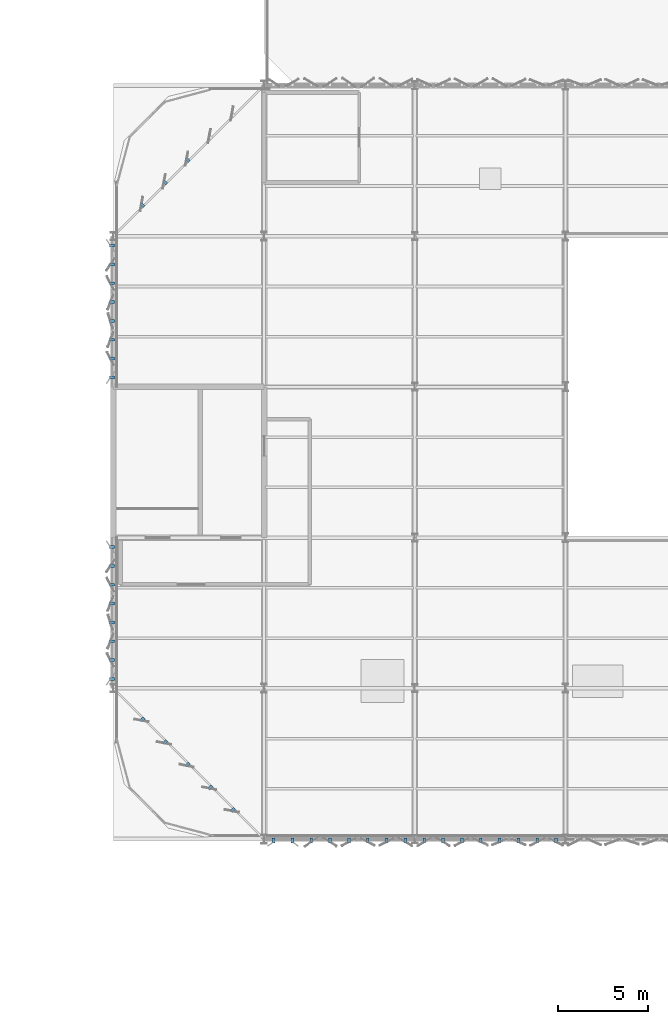
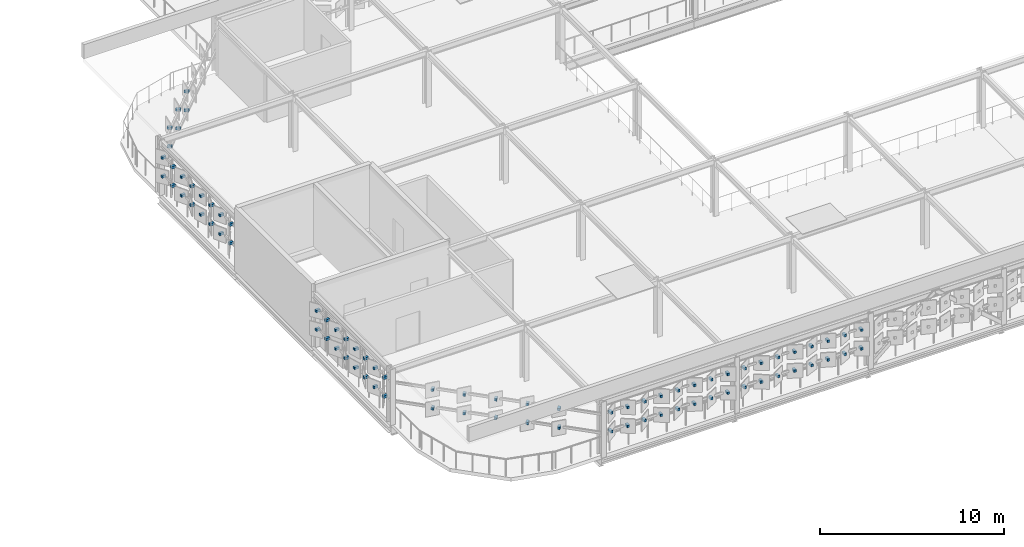
# One storey, part 56 of 65: 80 discrete accessories.
"""IFC4 building model written with IfcOpenShell, lengths in metres."""

import ifcopenshell
import ifcopenshell.guid

model = None  # the IFC model being written
_history = None  # IfcOwnerHistory: only IFC2X3 demands one
_inside = {}  # id of a spatial element -> (the spatial element, [elements in it])
_under = {}  # id of a project, library or spatial element -> (it, [spatial elements below it])
_declared = {}  # id of a project -> (the project, [libraries it declares])
_typed = {}  # id of a type object -> (the type object, [elements of that type])
_made_of = {}  # id of a material, layer set ... -> (it, [elements and type objects made of it])


def new_model(schema):
    """Start an empty IFC model of exactly this schema.

    Asked for "IFC4X3", IfcOpenShell would pick the latest addendum, in which some entities
    have other attributes; the version numbers below select the first issue.
    IFC2X3 requires an IfcOwnerHistory on every rooted entity: one is made here for all.
    """
    global model, _history
    if schema == "IFC4X3":
        model = ifcopenshell.file(schema_version=(4, 3, 0, 0))
    else:
        model = ifcopenshell.file(schema=schema)
    _inside.clear()
    _under.clear()
    _declared.clear()
    _typed.clear()
    _made_of.clear()
    _history = None
    if model.schema == "IFC2X3":
        org = make("IfcOrganization", Name="unknown")
        user = make(
            "IfcPersonAndOrganization",
            ThePerson=make("IfcPerson", FamilyName="unknown"),
            TheOrganization=org,
        )
        app = make(
            "IfcApplication",
            ApplicationDeveloper=org,
            Version="unknown",
            ApplicationFullName="unknown",
            ApplicationIdentifier="unknown",
        )
        _history = make(
            "IfcOwnerHistory",
            OwningUser=user,
            OwningApplication=app,
            ChangeAction="ADDED",
            CreationDate=0,
        )
    return model


def make(cls, **values):
    """One entity of the class cls with the attributes given. An attribute that is None is left unset."""
    return model.create_entity(
        cls, **{name: value for name, value in values.items() if value is not None}
    )


def rooted(cls, **values):
    """An entity with a GlobalId (a new one), such as an element, a storey or a relation."""
    return make(cls, GlobalId=ifcopenshell.guid.new(), OwnerHistory=_history, **values)


def si_unit(unit_type, name, prefix=None):
    """IfcSIUnit, for example si_unit("LENGTHUNIT", "METRE", prefix="MILLI")."""
    return make("IfcSIUnit", UnitType=unit_type, Prefix=prefix, Name=name)


def assignment(units):
    """IfcUnitAssignment: the units of a project."""
    return None if units is None else make("IfcUnitAssignment", Units=units)


def point(xyz):
    """IfcCartesianPoint."""
    return None if xyz is None else make("IfcCartesianPoint", Coordinates=xyz)


def direction(xyz):
    """IfcDirection."""
    return None if xyz is None else make("IfcDirection", DirectionRatios=xyz)


def frame(location, z_axis=None, x_axis=None):
    """IfcAxis2Placement3D, a coordinate frame: its origin and axes. An axis left out is left unset."""
    return make(
        "IfcAxis2Placement3D",
        Location=point(location),
        Axis=direction(z_axis),
        RefDirection=direction(x_axis),
    )


def frame_2d(location, x_axis=None):
    """IfcAxis2Placement2D, a coordinate frame in the plane: its origin and x axis."""
    return make(
        "IfcAxis2Placement2D", Location=point(location), RefDirection=direction(x_axis)
    )


def origin():
    """The frame at (0, 0, 0) with its axes left unset."""
    return frame((0.0, 0.0, 0.0))


def origin_2d():
    """The frame at (0, 0) in the plane with its x axis left unset."""
    return frame_2d((0.0, 0.0))


def place(relative_to, where):
    """IfcLocalPlacement: puts the frame where relative to a parent placement (None: the world)."""
    return make(
        "IfcLocalPlacement", PlacementRelTo=relative_to, RelativePlacement=where
    )


def context(
    kind, dimensions, precision=None, world=None, true_north=None, identifier=None
):
    """IfcGeometricRepresentationContext, for example the 3D "Model" context."""
    return make(
        "IfcGeometricRepresentationContext",
        ContextIdentifier=identifier,
        ContextType=kind,
        CoordinateSpaceDimension=dimensions,
        Precision=precision,
        WorldCoordinateSystem=world,
        TrueNorth=true_north,
    )


def subcontext(parent, identifier, kind, view, scale=None):
    """IfcGeometricRepresentationSubContext, for example "Body" below "Model"."""
    return make(
        "IfcGeometricRepresentationSubContext",
        ContextIdentifier=identifier,
        ContextType=kind,
        ParentContext=parent,
        TargetScale=scale,
        TargetView=view,
    )


def project(units=None, contexts=None):
    """IfcProject with its units and contexts."""
    return rooted(
        "IfcProject",
        Name="project",
        RepresentationContexts=contexts,
        UnitsInContext=assignment(units),
    )


def spatial(cls, under=None, at=None, **own):
    """A site, building, storey or space (cls), placed at a placement, below another one or the project."""
    s = rooted(cls, ObjectPlacement=at, **own)
    if under is not None:
        _under.setdefault(under.id(), (under, []))[1].append(s)
    return s


def profile(cls, at=None, kind="AREA", **sizes):
    """A parametric profile (cls). Its sizes go by their IFC names, for example OverallWidth=200.0."""
    return make(cls, ProfileType=kind, Position=at, **sizes)


def rectangle(**sizes):
    """IfcRectangleProfileDef."""
    return profile("IfcRectangleProfileDef", **sizes)


def extrude(swept, where, along, depth):
    """IfcExtrudedAreaSolid: the profile swept, set in the frame where, extruded along a direction by depth."""
    return make(
        "IfcExtrudedAreaSolid",
        SweptArea=swept,
        Position=where,
        ExtrudedDirection=direction(along),
        Depth=depth,
    )


def shape(context_of_items, identifier, shape_type, items):
    """IfcShapeRepresentation: the items that make up one representation, for example the "Body"."""
    return make(
        "IfcShapeRepresentation",
        ContextOfItems=context_of_items,
        RepresentationIdentifier=identifier,
        RepresentationType=shape_type,
        Items=items,
    )


def material(Name=None, Category=None):
    """IfcMaterial."""
    return make("IfcMaterial", Name=Name, Category=Category)


def made_of(thing, what):
    """Note that an element or type object is made of a material, layer set ...; save() writes the relation."""
    if what is not None:
        _made_of.setdefault(what.id(), (what, []))[1].append(thing)
    return thing


def type_object(cls, material=None, **own):
    """A type object (cls), such as IfcWallType, which elements share."""
    return made_of(rooted(cls, **own), material)


def element(
    cls,
    number,
    at=None,
    inside=None,
    cuts=None,
    type_object=None,
    material=None,
    context=None,
    identifier="Body",
    shape_type=None,
    held_by="IfcProductDefinitionShape",
    body=None,
    shapes=None,
    **own,
):
    """One element of the class cls, such as IfcWall. Its Tag is "e" and its number.

    at: its placement. inside: the storey or other place that contains it. cuts: it is an
    opening in that element (IfcRelVoidsElement). A single representation is given by context,
    identifier, shape_type and body (its items); several are given by shapes. held_by: the class
    of the entity that holds the representations. save() writes the other relations.
    """
    e = rooted(cls, Tag="e%d" % number, ObjectPlacement=at, **own)
    if body is not None:
        shapes = [shape(context, identifier, shape_type, body)]
    if shapes is not None:
        e.Representation = make(held_by, Representations=shapes)
    if inside is not None:
        _inside.setdefault(inside.id(), (inside, []))[1].append(e)
    if cuts is not None:
        rooted(
            "IfcRelVoidsElement", RelatingBuildingElement=cuts, RelatedOpeningElement=e
        )
    if type_object is not None:
        _typed.setdefault(type_object.id(), (type_object, []))[1].append(e)
    return made_of(e, material)


def aggregate(whole, parts):
    """IfcRelAggregates: a whole, such as a stair, and the parts it consists of."""
    return rooted("IfcRelAggregates", RelatingObject=whole, RelatedObjects=parts)


def save(model, path):
    """Write the relations noted so far, then the file.

    IfcRelAggregates (storeys below a building ...), IfcRelContainedInSpatialStructure (elements
    in a storey), IfcRelDefinesByType, IfcRelAssociatesMaterial and IfcRelDeclares: one each for
    every whole, place, type object, material and project.
    """
    for whole, parts in _under.values():
        aggregate(whole, parts)
    for where, things in _inside.values():
        rooted(
            "IfcRelContainedInSpatialStructure",
            RelatedElements=things,
            RelatingStructure=where,
        )
    for kind, things in _typed.values():
        rooted("IfcRelDefinesByType", RelatedObjects=things, RelatingType=kind)
    for what, things in _made_of.values():
        rooted("IfcRelAssociatesMaterial", RelatedObjects=things, RelatingMaterial=what)
    for by, libraries in _declared.values():
        rooted("IfcRelDeclares", RelatingContext=by, RelatedDefinitions=libraries)
    model.write(path)


model = new_model("IFC4")

# Units and contexts
model_context = context("Model", 3, precision=1e-05, world=origin(), true_north=direction((0.0, 1.0)))
body_context = subcontext(model_context, "Body", "Model", "MODEL_VIEW")
ifc_project = project(units=[si_unit("LENGTHUNIT", "METRE"), si_unit("AREAUNIT", "SQUARE_METRE"), si_unit("VOLUMEUNIT", "CUBIC_METRE"), si_unit("PLANEANGLEUNIT", "RADIAN"), si_unit("MASSUNIT", "GRAM", prefix="KILO")], contexts=[model_context])

# Site, building, storey
site_placement = place(None, origin())
site = spatial("IfcSite", under=ifc_project, at=site_placement, CompositionType="ELEMENT")
building_placement = place(site_placement, origin())
building = spatial("IfcBuilding", under=site, at=building_placement, Name="Qalvenar Corner Mobility Hub", CompositionType="ELEMENT")
storey_placement = place(building_placement, frame((0.0, 0.0, 17.39990234375)))
storey = spatial("IfcBuildingStorey", under=building, at=storey_placement, Name="L04", CompositionType="ELEMENT", Elevation=17.39990234375)

# Discrete accessories
ifc_material = material(Name="Steel S355", Category="steel")
discrete_accessory_type = type_object("IfcDiscreteAccessoryType", Name="ACC-HINGE-BRK", PredefinedType="BRACKET", material=ifc_material)
for number, where, z_axis, x_axis, name in (
    (1, (67.72509765625, 67.1201171875, 1.419921875), (0.0, 0.0, 1.0), (1.0, 0.0, 0.0), "Panel Hinge Bracket BK-L04-1081"),
    (2, (67.72509765625, 67.1201171875, 2.669921875), (0.0, 0.0, 1.0), (1.0, 0.0, 0.0), "Panel Hinge Bracket BK-L04-1082"),
    (3, (68.77490234375, 67.1201171875, 1.419921875), (0.0, 0.0, 1.0), (1.0, 0.0, 0.0), "Panel Hinge Bracket BK-L04-1083"),
    (4, (68.77490234375, 67.1201171875, 2.669921875), (0.0, 0.0, 1.0), (1.0, 0.0, 0.0), "Panel Hinge Bracket BK-L04-1084"),
    (5, (69.824951171875, 67.1201171875, 1.419921875), (0.0, 0.0, 1.0), (1.0, 0.0, 0.0), "Panel Hinge Bracket BK-L04-1085"),
    (6, (69.824951171875, 67.1201171875, 2.669921875), (0.0, 0.0, 1.0), (1.0, 0.0, 0.0), "Panel Hinge Bracket BK-L04-1086"),
    (7, (70.875, 67.1201171875, 1.419921875), (0.0, 0.0, 1.0), (1.0, 0.0, 0.0), "Panel Hinge Bracket BK-L04-1087"),
    (8, (70.875, 67.1201171875, 2.669921875), (0.0, 0.0, 1.0), (1.0, 0.0, 0.0), "Panel Hinge Bracket BK-L04-1088"),
    (9, (71.925048828125, 67.1201171875, 1.419921875), (0.0, 0.0, 1.0), (1.0, 0.0, 0.0), "Panel Hinge Bracket BK-L04-1089"),
    (10, (71.925048828125, 67.1201171875, 2.669921875), (0.0, 0.0, 1.0), (1.0, 0.0, 0.0), "Panel Hinge Bracket BK-L04-1090"),
    (11, (72.97509765625, 67.1201171875, 1.419921875), (0.0, 0.0, 1.0), (1.0, 0.0, 0.0), "Panel Hinge Bracket BK-L04-1091"),
    (12, (72.97509765625, 67.1201171875, 2.669921875), (0.0, 0.0, 1.0), (1.0, 0.0, 0.0), "Panel Hinge Bracket BK-L04-1092"),
    (13, (74.02490234375, 67.1201171875, 1.419921875), (0.0, 0.0, 1.0), (1.0, 0.0, 0.0), "Panel Hinge Bracket BK-L04-1093"),
    (14, (74.02490234375, 67.1201171875, 2.669921875), (0.0, 0.0, 1.0), (1.0, 0.0, 0.0), "Panel Hinge Bracket BK-L04-1094"),
    (15, (75.074951171875, 67.1201171875, 1.419921875), (0.0, 0.0, 1.0), (1.0, 0.0, 0.0), "Panel Hinge Bracket BK-L04-1095"),
    (16, (75.074951171875, 67.1201171875, 2.669921875), (0.0, 0.0, 1.0), (1.0, 0.0, 0.0), "Panel Hinge Bracket BK-L04-1096"),
    (17, (76.125, 67.1201171875, 1.419921875), (0.0, 0.0, 1.0), (1.0, 0.0, 0.0), "Panel Hinge Bracket BK-L04-1097"),
    (18, (76.125, 67.1201171875, 2.669921875), (0.0, 0.0, 1.0), (1.0, 0.0, 0.0), "Panel Hinge Bracket BK-L04-1098"),
    (19, (77.175048828125, 67.1201171875, 1.419921875), (0.0, 0.0, 1.0), (1.0, 0.0, 0.0), "Panel Hinge Bracket BK-L04-1099"),
    (20, (77.175048828125, 67.1201171875, 2.669921875), (0.0, 0.0, 1.0), (1.0, 0.0, 0.0), "Panel Hinge Bracket BK-L04-1100"),
    (21, (78.22509765625, 67.1201171875, 1.419921875), (0.0, 0.0, 1.0), (1.0, 0.0, 0.0), "Panel Hinge Bracket BK-L04-1101"),
    (22, (78.22509765625, 67.1201171875, 2.669921875), (0.0, 0.0, 1.0), (1.0, 0.0, 0.0), "Panel Hinge Bracket BK-L04-1102"),
    (23, (79.27490234375, 67.1201171875, 1.419921875), (0.0, 0.0, 1.0), (1.0, 0.0, 0.0), "Panel Hinge Bracket BK-L04-1103"),
    (24, (79.27490234375, 67.1201171875, 2.669921875), (0.0, 0.0, 1.0), (1.0, 0.0, 0.0), "Panel Hinge Bracket BK-L04-1104"),
    (25, (80.324951171875, 67.1201171875, 1.419921875), (0.0, 0.0, 1.0), (1.0, 0.0, 0.0), "Panel Hinge Bracket BK-L04-1105"),
    (26, (80.324951171875, 67.1201171875, 2.669921875), (0.0, 0.0, 1.0), (1.0, 0.0, 0.0), "Panel Hinge Bracket BK-L04-1106"),
    (27, (81.375, 67.1201171875, 1.419921875), (0.0, 0.0, 1.0), (1.0, 0.0, 0.0), "Panel Hinge Bracket BK-L04-1107"),
    (28, (81.375, 67.1201171875, 2.669921875), (0.0, 0.0, 1.0), (1.0, 0.0, 0.0), "Panel Hinge Bracket BK-L04-1108"),
    (29, (82.425048828125, 67.1201171875, 1.419921875), (0.0, 0.0, 1.0), (1.0, 0.0, 0.0), "Panel Hinge Bracket BK-L04-1109"),
    (30, (82.425048828125, 67.1201171875, 2.669921875), (0.0, 0.0, 1.0), (1.0, 0.0, 0.0), "Panel Hinge Bracket BK-L04-1110"),
    (31, (83.47509765625, 67.1201171875, 1.419921875), (0.0, 0.0, 1.0), (1.0, 0.0, 0.0), "Panel Hinge Bracket BK-L04-1111"),
    (32, (83.47509765625, 67.1201171875, 2.669921875), (0.0, 0.0, 1.0), (1.0, 0.0, 0.0), "Panel Hinge Bracket BK-L04-1112"),
    (33, (58.719970703125, 83.47509765625, 1.419921875), (0.0, 0.0, 1.0), (0.0, -1.0, 0.0), "Panel Hinge Bracket BK-L04-1321"),
    (34, (58.719970703125, 83.47509765625, 2.669921875), (0.0, 0.0, 1.0), (0.0, -1.0, 0.0), "Panel Hinge Bracket BK-L04-1322"),
    (35, (58.719970703125, 82.425048828125, 1.419921875), (0.0, 0.0, 1.0), (0.0, -1.0, 0.0), "Panel Hinge Bracket BK-L04-1323"),
    (36, (58.719970703125, 82.425048828125, 2.669921875), (0.0, 0.0, 1.0), (0.0, -1.0, 0.0), "Panel Hinge Bracket BK-L04-1324"),
    (37, (58.719970703125, 81.375, 1.419921875), (0.0, 0.0, 1.0), (0.0, -1.0, 0.0), "Panel Hinge Bracket BK-L04-1325"),
    (38, (58.719970703125, 81.375, 2.669921875), (0.0, 0.0, 1.0), (0.0, -1.0, 0.0), "Panel Hinge Bracket BK-L04-1326"),
    (39, (58.719970703125, 80.324951171875, 1.419921875), (0.0, 0.0, 1.0), (0.0, -1.0, 0.0), "Panel Hinge Bracket BK-L04-1327"),
    (40, (58.719970703125, 80.324951171875, 2.669921875), (0.0, 0.0, 1.0), (0.0, -1.0, 0.0), "Panel Hinge Bracket BK-L04-1328"),
    (41, (58.719970703125, 79.27490234375, 1.419921875), (0.0, 0.0, 1.0), (0.0, -1.0, 0.0), "Panel Hinge Bracket BK-L04-1329"),
    (42, (58.719970703125, 79.27490234375, 2.669921875), (0.0, 0.0, 1.0), (0.0, -1.0, 0.0), "Panel Hinge Bracket BK-L04-1330"),
    (43, (58.719970703125, 78.22509765625, 1.419921875), (0.0, 0.0, 1.0), (0.0, -1.0, 0.0), "Panel Hinge Bracket BK-L04-1331"),
    (44, (58.719970703125, 78.22509765625, 2.669921875), (0.0, 0.0, 1.0), (0.0, -1.0, 0.0), "Panel Hinge Bracket BK-L04-1332"),
    (45, (58.719970703125, 77.175048828125, 1.419921875), (0.0, 0.0, 1.0), (0.0, -1.0, 0.0), "Panel Hinge Bracket BK-L04-1333"),
    (46, (58.719970703125, 77.175048828125, 2.669921875), (0.0, 0.0, 1.0), (0.0, -1.0, 0.0), "Panel Hinge Bracket BK-L04-1334"),
    (47, (58.719970703125, 76.125, 1.419921875), (0.0, 0.0, 1.0), (0.0, -1.0, 0.0), "Panel Hinge Bracket BK-L04-1335"),
    (48, (58.719970703125, 76.125, 2.669921875), (0.0, 0.0, 1.0), (0.0, -1.0, 0.0), "Panel Hinge Bracket BK-L04-1336"),
    (49, (58.719970703125, 100.27490234375, 1.419921875), (0.0, 0.0, 1.0), (0.0, -1.0, 0.0), "Panel Hinge Bracket BK-L04-1337"),
    (50, (58.719970703125, 100.27490234375, 2.669921875), (0.0, 0.0, 1.0), (0.0, -1.0, 0.0), "Panel Hinge Bracket BK-L04-1338"),
    (51, (58.719970703125, 99.22509765625, 1.419921875), (0.0, 0.0, 1.0), (0.0, -1.0, 0.0), "Panel Hinge Bracket BK-L04-1339"),
    (52, (58.719970703125, 99.22509765625, 2.669921875), (0.0, 0.0, 1.0), (0.0, -1.0, 0.0), "Panel Hinge Bracket BK-L04-1340"),
    (53, (58.719970703125, 98.175048828125, 1.419921875), (0.0, 0.0, 1.0), (0.0, -1.0, 0.0), "Panel Hinge Bracket BK-L04-1341"),
    (54, (58.719970703125, 98.175048828125, 2.669921875), (0.0, 0.0, 1.0), (0.0, -1.0, 0.0), "Panel Hinge Bracket BK-L04-1342"),
    (55, (58.719970703125, 97.125, 1.419921875), (0.0, 0.0, 1.0), (0.0, -1.0, 0.0), "Panel Hinge Bracket BK-L04-1343"),
    (56, (58.719970703125, 97.125, 2.669921875), (0.0, 0.0, 1.0), (0.0, -1.0, 0.0), "Panel Hinge Bracket BK-L04-1344"),
    (57, (58.719970703125, 96.074951171875, 1.419921875), (0.0, 0.0, 1.0), (0.0, -1.0, 0.0), "Panel Hinge Bracket BK-L04-1345"),
    (58, (58.719970703125, 96.074951171875, 2.669921875), (0.0, 0.0, 1.0), (0.0, -1.0, 0.0), "Panel Hinge Bracket BK-L04-1346"),
    (59, (58.719970703125, 95.02490234375, 1.419921875), (0.0, 0.0, 1.0), (0.0, -1.0, 0.0), "Panel Hinge Bracket BK-L04-1347"),
    (60, (58.719970703125, 95.02490234375, 2.669921875), (0.0, 0.0, 1.0), (0.0, -1.0, 0.0), "Panel Hinge Bracket BK-L04-1348"),
    (61, (58.719970703125, 93.97509765625, 1.419921875), (0.0, 0.0, 1.0), (0.0, -1.0, 0.0), "Panel Hinge Bracket BK-L04-1349"),
    (62, (58.719970703125, 93.97509765625, 2.669921875), (0.0, 0.0, 1.0), (0.0, -1.0, 0.0), "Panel Hinge Bracket BK-L04-1350"),
    (63, (58.719970703125, 92.925048828125, 1.419921875), (0.0, 0.0, 1.0), (0.0, -1.0, 0.0), "Panel Hinge Bracket BK-L04-1351"),
    (64, (58.719970703125, 92.925048828125, 2.669921875), (0.0, 0.0, 1.0), (0.0, -1.0, 0.0), "Panel Hinge Bracket BK-L04-1352"),
    (65, (60.42333984375, 73.86328125, 1.419921875), (0.0, 0.0, 1.0), (0.707106781187, -0.707106781187, 0.0), "Corner Hinge Bracket BKC-L04-1369"),
    (66, (61.683349609375, 72.603515625, 1.419921875), (0.0, 0.0, 1.0), (0.707106781187, -0.707106781187, 0.0), "Corner Hinge Bracket BKC-L04-1370"),
    (67, (62.943359375, 71.343505859375, 1.419921875), (0.0, 0.0, 1.0), (0.707106781187, -0.707106781187, 0.0), "Corner Hinge Bracket BKC-L04-1371"),
    (68, (64.203369140625, 70.08349609375, 1.419921875), (0.0, 0.0, 1.0), (0.707106781187, -0.707106781187, 0.0), "Corner Hinge Bracket BKC-L04-1372"),
    (69, (65.46337890625, 68.823486328125, 1.419921875), (0.0, 0.0, 1.0), (0.707106781187, -0.707106781187, 0.0), "Corner Hinge Bracket BKC-L04-1373"),
    (70, (60.42333984375, 73.86328125, 2.669921875), (0.0, 0.0, 1.0), (0.707106781187, -0.707106781187, 0.0), "Corner Hinge Bracket BKC-L04-1374"),
    (71, (61.683349609375, 72.603515625, 2.669921875), (0.0, 0.0, 1.0), (0.707106781187, -0.707106781187, 0.0), "Corner Hinge Bracket BKC-L04-1375"),
    (72, (62.943359375, 71.343505859375, 2.669921875), (0.0, 0.0, 1.0), (0.707106781187, -0.707106781187, 0.0), "Corner Hinge Bracket BKC-L04-1376"),
    (73, (64.203369140625, 70.08349609375, 2.669921875), (0.0, 0.0, 1.0), (0.707106781187, -0.707106781187, 0.0), "Corner Hinge Bracket BKC-L04-1377"),
    (74, (65.46337890625, 68.823486328125, 2.669921875), (0.0, 0.0, 1.0), (0.707106781187, -0.707106781187, 0.0), "Corner Hinge Bracket BKC-L04-1378"),
    (75, (62.943359375, 105.056640625, 1.419921875), (0.0, 0.0, 1.0), (-0.707106781187, -0.707106781187, 0.0), "Corner Hinge Bracket BKC-L04-1401"),
    (76, (61.683349609375, 103.796630859375, 1.419921875), (0.0, 0.0, 1.0), (-0.707106781187, -0.707106781187, 0.0), "Corner Hinge Bracket BKC-L04-1402"),
    (77, (60.42333984375, 102.53662109375, 1.419921875), (0.0, 0.0, 1.0), (-0.707106781187, -0.707106781187, 0.0), "Corner Hinge Bracket BKC-L04-1403"),
    (78, (62.943359375, 105.056640625, 2.669921875), (0.0, 0.0, 1.0), (-0.707106781187, -0.707106781187, 0.0), "Corner Hinge Bracket BKC-L04-1406"),
    (79, (61.683349609375, 103.796630859375, 2.669921875), (0.0, 0.0, 1.0), (-0.707106781187, -0.707106781187, 0.0), "Corner Hinge Bracket BKC-L04-1407"),
    (80, (60.42333984375, 102.53662109375, 2.669921875), (0.0, 0.0, 1.0), (-0.707106781187, -0.707106781187, 0.0), "Corner Hinge Bracket BKC-L04-1408"),
):
    element("IfcDiscreteAccessory", number, at=place(storey_placement, frame(where, z_axis=z_axis, x_axis=x_axis)), inside=storey, type_object=discrete_accessory_type, Name=name, PredefinedType="BRACKET", context=body_context, shape_type="SweptSolid", body=[
        extrude(rectangle(XDim=0.159912109375, YDim=0.260009765625, at=origin_2d()), origin(), (0.0, 0.0, 1.0), 0.159912109375),
    ])

save(model, "model.ifc")
